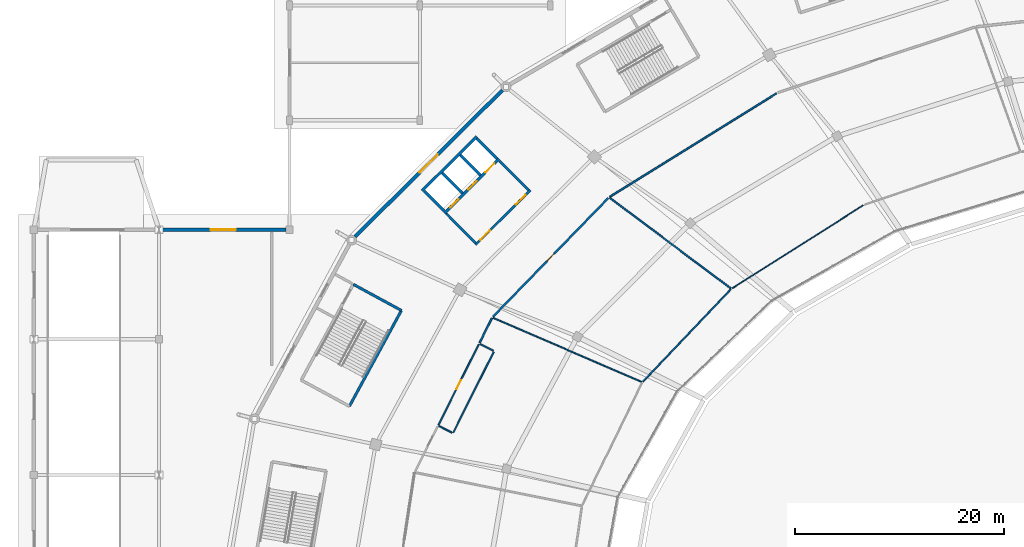
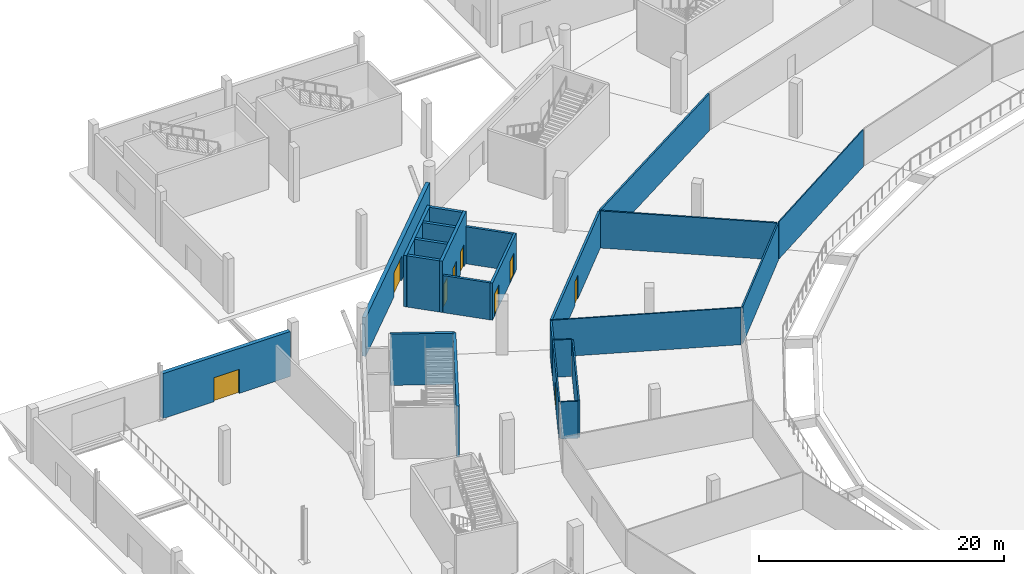
# One storey, part 41 of 82: 24 walls, 9 doors, 9 openings.
"""IFC4 building model written with IfcOpenShell, lengths in metres."""

import ifcopenshell
import ifcopenshell.guid

model = None  # the IFC model being written
_history = None  # IfcOwnerHistory: only IFC2X3 demands one
_inside = {}  # id of a spatial element -> (the spatial element, [elements in it])
_under = {}  # id of a project, library or spatial element -> (it, [spatial elements below it])
_declared = {}  # id of a project -> (the project, [libraries it declares])
_typed = {}  # id of a type object -> (the type object, [elements of that type])
_made_of = {}  # id of a material, layer set ... -> (it, [elements and type objects made of it])


def new_model(schema):
    """Start an empty IFC model of exactly this schema.

    Asked for "IFC4X3", IfcOpenShell would pick the latest addendum, in which some entities
    have other attributes; the version numbers below select the first issue.
    IFC2X3 requires an IfcOwnerHistory on every rooted entity: one is made here for all.
    """
    global model, _history
    if schema == "IFC4X3":
        model = ifcopenshell.file(schema_version=(4, 3, 0, 0))
    else:
        model = ifcopenshell.file(schema=schema)
    _inside.clear()
    _under.clear()
    _declared.clear()
    _typed.clear()
    _made_of.clear()
    _history = None
    if model.schema == "IFC2X3":
        org = make("IfcOrganization", Name="unknown")
        user = make(
            "IfcPersonAndOrganization",
            ThePerson=make("IfcPerson", FamilyName="unknown"),
            TheOrganization=org,
        )
        app = make(
            "IfcApplication",
            ApplicationDeveloper=org,
            Version="unknown",
            ApplicationFullName="unknown",
            ApplicationIdentifier="unknown",
        )
        _history = make(
            "IfcOwnerHistory",
            OwningUser=user,
            OwningApplication=app,
            ChangeAction="ADDED",
            CreationDate=0,
        )
    return model


def make(cls, **values):
    """One entity of the class cls with the attributes given. An attribute that is None is left unset."""
    return model.create_entity(
        cls, **{name: value for name, value in values.items() if value is not None}
    )


def rooted(cls, **values):
    """An entity with a GlobalId (a new one), such as an element, a storey or a relation."""
    return make(cls, GlobalId=ifcopenshell.guid.new(), OwnerHistory=_history, **values)


def si_unit(unit_type, name, prefix=None):
    """IfcSIUnit, for example si_unit("LENGTHUNIT", "METRE", prefix="MILLI")."""
    return make("IfcSIUnit", UnitType=unit_type, Prefix=prefix, Name=name)


def assignment(units):
    """IfcUnitAssignment: the units of a project."""
    return None if units is None else make("IfcUnitAssignment", Units=units)


def point(xyz):
    """IfcCartesianPoint."""
    return None if xyz is None else make("IfcCartesianPoint", Coordinates=xyz)


def direction(xyz):
    """IfcDirection."""
    return None if xyz is None else make("IfcDirection", DirectionRatios=xyz)


def frame(location, z_axis=None, x_axis=None):
    """IfcAxis2Placement3D, a coordinate frame: its origin and axes. An axis left out is left unset."""
    return make(
        "IfcAxis2Placement3D",
        Location=point(location),
        Axis=direction(z_axis),
        RefDirection=direction(x_axis),
    )


def frame_2d(location, x_axis=None):
    """IfcAxis2Placement2D, a coordinate frame in the plane: its origin and x axis."""
    return make(
        "IfcAxis2Placement2D", Location=point(location), RefDirection=direction(x_axis)
    )


def origin():
    """The frame at (0, 0, 0) with its axes left unset."""
    return frame((0.0, 0.0, 0.0))


def place(relative_to, where):
    """IfcLocalPlacement: puts the frame where relative to a parent placement (None: the world)."""
    return make(
        "IfcLocalPlacement", PlacementRelTo=relative_to, RelativePlacement=where
    )


def context(
    kind, dimensions, precision=None, world=None, true_north=None, identifier=None
):
    """IfcGeometricRepresentationContext, for example the 3D "Model" context."""
    return make(
        "IfcGeometricRepresentationContext",
        ContextIdentifier=identifier,
        ContextType=kind,
        CoordinateSpaceDimension=dimensions,
        Precision=precision,
        WorldCoordinateSystem=world,
        TrueNorth=true_north,
    )


def subcontext(parent, identifier, kind, view, scale=None):
    """IfcGeometricRepresentationSubContext, for example "Body" below "Model"."""
    return make(
        "IfcGeometricRepresentationSubContext",
        ContextIdentifier=identifier,
        ContextType=kind,
        ParentContext=parent,
        TargetScale=scale,
        TargetView=view,
    )


def project(units=None, contexts=None):
    """IfcProject with its units and contexts."""
    return rooted(
        "IfcProject",
        Name="project",
        RepresentationContexts=contexts,
        UnitsInContext=assignment(units),
    )


def spatial(cls, under=None, at=None, **own):
    """A site, building, storey or space (cls), placed at a placement, below another one or the project."""
    s = rooted(cls, ObjectPlacement=at, **own)
    if under is not None:
        _under.setdefault(under.id(), (under, []))[1].append(s)
    return s


def profile(cls, at=None, kind="AREA", **sizes):
    """A parametric profile (cls). Its sizes go by their IFC names, for example OverallWidth=200.0."""
    return make(cls, ProfileType=kind, Position=at, **sizes)


def rectangle(**sizes):
    """IfcRectangleProfileDef."""
    return profile("IfcRectangleProfileDef", **sizes)


def extrude(swept, where, along, depth):
    """IfcExtrudedAreaSolid: the profile swept, set in the frame where, extruded along a direction by depth."""
    return make(
        "IfcExtrudedAreaSolid",
        SweptArea=swept,
        Position=where,
        ExtrudedDirection=direction(along),
        Depth=depth,
    )


def shape(context_of_items, identifier, shape_type, items):
    """IfcShapeRepresentation: the items that make up one representation, for example the "Body"."""
    return make(
        "IfcShapeRepresentation",
        ContextOfItems=context_of_items,
        RepresentationIdentifier=identifier,
        RepresentationType=shape_type,
        Items=items,
    )


def material(Name=None, Category=None):
    """IfcMaterial."""
    return make("IfcMaterial", Name=Name, Category=Category)


def layer(
    of_material, thickness, ventilated=None, Name=None, Category=None, Priority=None
):
    """IfcMaterialLayer: one layer of a wall or slab, of a material (None: an air gap)."""
    return make(
        "IfcMaterialLayer",
        Material=of_material,
        LayerThickness=thickness,
        IsVentilated=ventilated,
        Name=Name,
        Category=Category,
        Priority=Priority,
    )


def layer_set(layers, Name=None):
    """IfcMaterialLayerSet."""
    return make("IfcMaterialLayerSet", MaterialLayers=layers, LayerSetName=Name)


def made_of(thing, what):
    """Note that an element or type object is made of a material, layer set ...; save() writes the relation."""
    if what is not None:
        _made_of.setdefault(what.id(), (what, []))[1].append(thing)
    return thing


def type_object(cls, material=None, **own):
    """A type object (cls), such as IfcWallType, which elements share."""
    return made_of(rooted(cls, **own), material)


def element(
    cls,
    number,
    at=None,
    inside=None,
    cuts=None,
    type_object=None,
    material=None,
    context=None,
    identifier="Body",
    shape_type=None,
    held_by="IfcProductDefinitionShape",
    body=None,
    shapes=None,
    **own,
):
    """One element of the class cls, such as IfcWall. Its Tag is "e" and its number.

    at: its placement. inside: the storey or other place that contains it. cuts: it is an
    opening in that element (IfcRelVoidsElement). A single representation is given by context,
    identifier, shape_type and body (its items); several are given by shapes. held_by: the class
    of the entity that holds the representations. save() writes the other relations.
    """
    e = rooted(cls, Tag="e%d" % number, ObjectPlacement=at, **own)
    if body is not None:
        shapes = [shape(context, identifier, shape_type, body)]
    if shapes is not None:
        e.Representation = make(held_by, Representations=shapes)
    if inside is not None:
        _inside.setdefault(inside.id(), (inside, []))[1].append(e)
    if cuts is not None:
        rooted(
            "IfcRelVoidsElement", RelatingBuildingElement=cuts, RelatedOpeningElement=e
        )
    if type_object is not None:
        _typed.setdefault(type_object.id(), (type_object, []))[1].append(e)
    return made_of(e, material)


def fill(opening, filler):
    """IfcRelFillsElement: the door or window that sits in an opening."""
    return rooted(
        "IfcRelFillsElement",
        RelatingOpeningElement=opening,
        RelatedBuildingElement=filler,
    )


def aggregate(whole, parts):
    """IfcRelAggregates: a whole, such as a stair, and the parts it consists of."""
    return rooted("IfcRelAggregates", RelatingObject=whole, RelatedObjects=parts)


def save(model, path):
    """Write the relations noted so far, then the file.

    IfcRelAggregates (storeys below a building ...), IfcRelContainedInSpatialStructure (elements
    in a storey), IfcRelDefinesByType, IfcRelAssociatesMaterial and IfcRelDeclares: one each for
    every whole, place, type object, material and project.
    """
    for whole, parts in _under.values():
        aggregate(whole, parts)
    for where, things in _inside.values():
        rooted(
            "IfcRelContainedInSpatialStructure",
            RelatedElements=things,
            RelatingStructure=where,
        )
    for kind, things in _typed.values():
        rooted("IfcRelDefinesByType", RelatedObjects=things, RelatingType=kind)
    for what, things in _made_of.values():
        rooted("IfcRelAssociatesMaterial", RelatedObjects=things, RelatingMaterial=what)
    for by, libraries in _declared.values():
        rooted("IfcRelDeclares", RelatingContext=by, RelatedDefinitions=libraries)
    model.write(path)


model = new_model("IFC4")

# Units and contexts
model_context = context("Model", 3, precision=1e-05, world=origin(), true_north=direction((0.0, 1.0)))
body_context = subcontext(model_context, "Body", "Model", "MODEL_VIEW")
ifc_project = project(units=[si_unit("LENGTHUNIT", "METRE"), si_unit("AREAUNIT", "SQUARE_METRE"), si_unit("VOLUMEUNIT", "CUBIC_METRE"), si_unit("PLANEANGLEUNIT", "RADIAN"), si_unit("MASSUNIT", "GRAM", prefix="KILO")], contexts=[model_context])

# Site, building, storey
site_placement = place(None, origin())
site = spatial("IfcSite", under=ifc_project, at=site_placement, CompositionType="ELEMENT")
building_placement = place(site_placement, origin())
building = spatial("IfcBuilding", under=site, at=building_placement, Name="Zlatoyarsky Gate Stadium", CompositionType="ELEMENT")
storey_placement = place(building_placement, origin())
storey = spatial("IfcBuildingStorey", under=building, at=storey_placement, Name="L00", CompositionType="ELEMENT", Elevation=0.0)

# Wall
ifc_material_1 = material(Name="Moisture-resistant masonry partition", Category="masonry")
ifc_layer_1 = layer(ifc_material_1, 0.139892578125)
ifc_layer_set_1 = layer_set([ifc_layer_1], Name="Moisture-resistant masonry partition")
wall_type_1 = type_object("IfcWallType", Name="ATHLETE CHANGING BLOCK PARTITION 140", PredefinedType="PARTITIONING", material=ifc_layer_set_1)
wall_1_placement = place(storey_placement, frame((66.811279296875, 110.775146484375, 0.0), z_axis=(0.0, 0.0, 1.0), x_axis=(-0.691101406197, -0.722757806151, 0.0)))
element("IfcWall", 1, at=wall_1_placement, inside=storey, type_object=wall_type_1, Name="L00 interior partition PRT-L00-IRN-09", PredefinedType="PARTITIONING", context=body_context, shape_type="SweptSolid", body=[
    extrude(rectangle(XDim=12.20849609375, YDim=0.139892578125, at=frame_2d((6.104248046875, 0.0))), origin(), (0.0, 0.0, 1.0), 3.68994140625),
])

# Wall, opening, door
ifc_material_2 = material(Name="Gypsum-clad mineral wool fire partition", Category="gypsum")
ifc_layer_2 = layer(ifc_material_2, 0.199951171875)
ifc_layer_set_2 = layer_set([ifc_layer_2], Name="Gypsum-clad mineral wool fire partition")
wall_type_2 = type_object("IfcWallType", Name="COMPARTMENT FIRE PARTITION WALL 200", PredefinedType="PARTITIONING", material=ifc_layer_set_2)
wall_2_placement = place(storey_placement, frame((55.069580078125, 119.546630859375, 0.0), z_axis=(0.0, 0.0, 1.0), x_axis=(-0.696900418689, -0.717167906722, 0.0)))
wall_2 = element("IfcWall", 2, at=wall_2_placement, inside=storey, type_object=wall_type_2, Name="L00 interior partition PRT-L00-ICC-09", PredefinedType="PARTITIONING", context=body_context, shape_type="SweptSolid", body=[
    extrude(rectangle(XDim=15.888671875, YDim=0.199951171875, at=frame_2d((7.9443359375, 0.0))), origin(), (0.0, 0.0, 1.0), 3.68994140625),
])
opening_1_placement = place(wall_2_placement, frame((7.46435546875, 0.0, 0.0)))
opening_1 = element("IfcOpeningElement", 3, at=opening_1_placement, cuts=wall_2, Name="Opening D-L00-134", PredefinedType="OPENING", context=body_context, shape_type="SweptSolid", body=[
    extrude(rectangle(XDim=0.9599609375, YDim=2.3798828125, at=frame_2d((0.47998046875, 1.18994140625))), frame((0.0, 0.10986328125, 0.0), z_axis=(0.0, -1.0, 0.0), x_axis=(1.0, 0.0, 0.0)), (0.0, 0.0, 1.0), 0.219970703125),
])
ifc_material_3 = material(Name="Powder-coated steel fire door", Category="steel")
door_type_1 = type_object("IfcDoorType", Name="ACOUSTIC INTERIOR DOOR 960X2380", OperationType="NOTDEFINED", PredefinedType="DOOR", material=ifc_material_3)
door_1_placement = place(opening_1_placement, origin())
door_1 = element("IfcDoor", 4, at=door_1_placement, inside=storey, type_object=door_type_1, Name="L00 room door D-L00-134", OperationType="SINGLE_SWING_LEFT", OverallHeight=2.3798828125, OverallWidth=0.9599609375, PredefinedType="DOOR", context=body_context, shape_type="SweptSolid", body=[
    extrude(rectangle(XDim=0.9599609375, YDim=2.3798828125, at=frame_2d((0.47998046875, 1.18994140625))), frame((0.0, 0.02490234375, 0.0), z_axis=(0.0, -1.0, 0.0), x_axis=(1.0, 0.0, 0.0)), (0.0, 0.0, 1.0), 0.050048828125),
])
fill(opening_1, door_1)

# Walls
ifc_material_4 = material(Name="Metal-stud gypsum partition", Category="gypsum")
ifc_layer_3 = layer(ifc_material_4, 0.14990234375)
ifc_layer_set_3 = layer_set([ifc_layer_3], Name="Metal-stud gypsum partition")
wall_type_3 = type_object("IfcWallType", Name="CONCOURSE CORRIDOR PARTITION 150", PredefinedType="PARTITIONING", material=ifc_layer_set_3)
wall_3_placement = place(storey_placement, frame((66.8017578125, 110.887451171875, 0.0), z_axis=(0.0, 0.0, 1.0), x_axis=(-0.801129157345, 0.598491498061, 0.0)))
element("IfcWall", 5, at=wall_3_placement, inside=storey, type_object=wall_type_3, Name="L00 interior partition PRT-L00-IRD-09", PredefinedType="PARTITIONING", context=body_context, shape_type="SweptSolid", body=[
    extrude(rectangle(XDim=14.485595703125, YDim=0.14990234375, at=frame_2d((7.24267578125, 0.0))), origin(), (0.0, 0.0, 1.0), 3.68994140625),
])
ifc_material_5 = material(Name="Concrete C40/50", Category="concrete")
ifc_layer_4 = layer(ifc_material_5, 0.27001953125)
ifc_layer_set_4 = layer_set([ifc_layer_4], Name="Concrete C40/50")
wall_type_4 = type_object("IfcWallType", Name="CONCRETE LIFT SHAFT SHEAR WALL 270", PredefinedType="SHEAR", material=ifc_layer_set_4)
wall_4_placement = place(storey_placement, frame((42.452880859375, 125.443603515625, 0.0), z_axis=(0.0, 0.0, 1.0), x_axis=(-0.708902567846, -0.705306422274, 0.0)))
element("IfcWall", 6, at=wall_4_placement, inside=storey, type_object=wall_type_4, Name="C2 L00 lift shaft rear wall", PredefinedType="SHEAR", context=body_context, shape_type="SweptSolid", body=[
    extrude(rectangle(XDim=7.39990234375, YDim=0.27001953125, at=frame_2d((3.699951171875, 0.0))), origin(), (0.0, 0.0, 1.0), 5.10009765625),
])
for number, where, z_axis, x_axis, name in (
    (7, (42.45947265625, 125.24560546875, 0.0), (0.0, 0.0, 1.0), (0.705322518225, -0.708886553183, 0.0), "C2 L00 lift shaft left wall"),
    (8, (37.405029296875, 120.216796875, 0.0), (0.0, 0.0, 1.0), (0.705322518225, -0.708886553183, 0.0), "C2 L00 lift shaft right wall"),
    (9, (40.87158203125, 123.665771484375, 0.0), (0.0, 0.0, 1.0), (0.705322518225, -0.708886553183, 0.0), "C2 L00 lift shaft divider 1"),
    (10, (39.134765625, 121.937744140625, 0.0), (0.0, 0.0, 1.0), (0.705322518225, -0.708886553183, 0.0), "C2 L00 lift shaft divider 2"),
):
    element("IfcWall", number, at=place(storey_placement, frame(where, z_axis=z_axis, x_axis=x_axis)), inside=storey, type_object=wall_type_4, Name=name, PredefinedType="SHEAR", context=body_context, shape_type="SweptSolid", body=[
        extrude(rectangle(XDim=2.739990234375, YDim=0.27001953125, at=frame_2d((1.3701171875, 0.0))), origin(), (0.0, 0.0, 1.0), 5.10009765625),
    ])

# Wall, openings, doors
wall_5_placement = place(storey_placement, frame((44.590087890625, 123.295654296875, 0.0), z_axis=(0.0, 0.0, 1.0), x_axis=(-0.708918979457, -0.705289926602, 0.0)))
wall_5 = element("IfcWall", 11, at=wall_5_placement, inside=storey, type_object=wall_type_4, Name="C2 L00 lift landing front wall", PredefinedType="SHEAR", context=body_context, shape_type="SweptSolid", body=[
    extrude(rectangle(XDim=7.400146484375, YDim=0.27001953125, at=frame_2d((3.7001953125, 0.0))), origin(), (0.0, 0.0, 1.0), 5.10009765625),
])
opening_2_placement = place(wall_5_placement, frame((0.64990234375, 0.0, 0.0)))
opening_2 = element("IfcOpeningElement", 12, at=opening_2_placement, cuts=wall_5, Name="Opening LD-FL-02-L00", PredefinedType="OPENING", context=body_context, shape_type="SweptSolid", body=[
    extrude(rectangle(XDim=1.199951171875, YDim=2.25, at=frame_2d((0.60009765625, 1.125))), frame((0.0, 0.14501953125, 0.0), z_axis=(0.0, -1.0, 0.0), x_axis=(1.0, 0.0, 0.0)), (0.0, 0.0, 1.0), 0.2900390625),
])
opening_3_placement = place(wall_5_placement, frame((3.050048828125, 0.0, 0.0)))
opening_3 = element("IfcOpeningElement", 13, at=opening_3_placement, cuts=wall_5, Name="Opening LD-LF-03-L00", PredefinedType="OPENING", context=body_context, shape_type="SweptSolid", body=[
    extrude(rectangle(XDim=1.10009765625, YDim=2.199951171875, at=frame_2d((0.550048828125, 1.10009765625))), frame((0.0, 0.14501953125, 0.0), z_axis=(0.0, -1.0, 0.0), x_axis=(1.0, 0.0, 0.0)), (0.0, 0.0, 1.0), 0.2900390625),
])
opening_4_placement = place(wall_5_placement, frame((5.5, 0.0, 0.0)))
opening_4 = element("IfcOpeningElement", 14, at=opening_4_placement, cuts=wall_5, Name="Opening LD-LF-04-L00", PredefinedType="OPENING", context=body_context, shape_type="SweptSolid", body=[
    extrude(rectangle(XDim=1.10009765625, YDim=2.199951171875, at=frame_2d((0.550048828125, 1.10009765625))), frame((0.0, 0.14501953125, 0.0), z_axis=(0.0, -1.0, 0.0), x_axis=(1.0, 0.0, 0.0)), (0.0, 0.0, 1.0), 0.2900390625),
])
door_type_2 = type_object("IfcDoorType", Name="STAINLESS LIFT LANDING SLIDING DOOR 1100X2200", OperationType="DOUBLE_DOOR_SLIDING", PredefinedType="DOOR", material=ifc_material_3)
door_2_placement = place(opening_3_placement, origin())
door_2 = element("IfcDoor", 15, at=door_2_placement, inside=storey, type_object=door_type_2, Name="Lift LF-03 L00 sliding landing door", OperationType="DOUBLE_DOOR_SLIDING", OverallHeight=2.199951171875, OverallWidth=1.10009765625, PredefinedType="DOOR", context=body_context, shape_type="SweptSolid", body=[
    extrude(rectangle(XDim=1.10009765625, YDim=2.199951171875, at=frame_2d((0.550048828125, 1.10009765625))), frame((0.0, 0.02490234375, 0.0), z_axis=(0.0, -1.0, 0.0), x_axis=(1.0, 0.0, 0.0)), (0.0, 0.0, 1.0), 0.050048828125),
])
fill(opening_3, door_2)
door_3_placement = place(opening_4_placement, origin())
door_3 = element("IfcDoor", 16, at=door_3_placement, inside=storey, type_object=door_type_2, Name="Lift LF-04 L00 sliding landing door", OperationType="DOUBLE_DOOR_SLIDING", OverallHeight=2.199951171875, OverallWidth=1.10009765625, PredefinedType="DOOR", context=body_context, shape_type="SweptSolid", body=[
    extrude(rectangle(XDim=1.10009765625, YDim=2.199951171875, at=frame_2d((0.550048828125, 1.10009765625))), frame((0.0, 0.02490234375, 0.0), z_axis=(0.0, -1.0, 0.0), x_axis=(1.0, 0.0, 0.0)), (0.0, 0.0, 1.0), 0.050048828125),
])
fill(opening_4, door_3)
door_type_3 = type_object("IfcDoorType", Name="STAINLESS LIFT LANDING SLIDING DOOR 1200X2250", OperationType="DOUBLE_DOOR_SLIDING", PredefinedType="DOOR", material=ifc_material_3)
door_4_placement = place(opening_2_placement, origin())
door_4 = element("IfcDoor", 17, at=door_4_placement, inside=storey, type_object=door_type_3, Name="Lift FL-02 L00 sliding landing door", OperationType="DOUBLE_DOOR_SLIDING", OverallHeight=2.25, OverallWidth=1.199951171875, PredefinedType="DOOR", context=body_context, shape_type="SweptSolid", body=[
    extrude(rectangle(XDim=1.199951171875, YDim=2.25, at=frame_2d((0.60009765625, 1.125))), frame((0.0, 0.02490234375, 0.0), z_axis=(0.0, -1.0, 0.0), x_axis=(1.0, 0.0, 0.0)), (0.0, 0.0, 1.0), 0.050048828125),
])
fill(opening_2, door_4)

# Walls
ifc_layer_5 = layer(ifc_material_5, 0.25)
ifc_layer_set_5 = layer_set([ifc_layer_5], Name="Concrete C40/50")
wall_type_5 = type_object("IfcWallType", Name="CONCRETE STAIR CORE SHEAR WALL 250", PredefinedType="SHEAR", material=ifc_layer_set_5)
wall_6_placement = place(storey_placement, frame((35.229736328125, 108.764892578125, 0.0), z_axis=(0.0, 0.0, 1.0), x_axis=(-0.878941993928, 0.476928685769, 0.0)))
element("IfcWall", 18, at=wall_6_placement, inside=storey, type_object=wall_type_5, Name="ST-06 L00 stair core entrance shear wall", PredefinedType="SHEAR", context=body_context, shape_type="SweptSolid", body=[
    extrude(rectangle(XDim=5.25, YDim=0.25, at=frame_2d((2.625, 0.0))), origin(), (0.0, 0.0, 1.0), 5.10009765625),
])
wall_7_placement = place(storey_placement, frame((30.246337890625, 99.579833984375, 0.0), z_axis=(0.0, 0.0, 1.0), x_axis=(0.476886649814, 0.878964802042, 0.0)))
element("IfcWall", 19, at=wall_7_placement, inside=storey, type_object=wall_type_5, Name="ST-06 L00 stair core right shear wall", PredefinedType="SHEAR", context=body_context, shape_type="SweptSolid", body=[
    extrude(rectangle(XDim=10.449951171875, YDim=0.25, at=frame_2d((5.22509765625, 0.0))), origin(), (0.0, 0.0, 1.0), 5.10009765625),
])
ifc_material_6 = material(Name="Autoclaved aerated concrete masonry EI 120", Category="masonry")
ifc_layer_6 = layer(ifc_material_6, 0.219970703125)
ifc_layer_set_6 = layer_set([ifc_layer_6], Name="Autoclaved aerated concrete masonry EI 120")
wall_type_6 = type_object("IfcWallType", Name="FIREFIGHTING LOBBY RATED WALL 220", PredefinedType="PARTITIONING", material=ifc_layer_set_6)
for number, where, z_axis, x_axis, name in (
    (20, (44.621337890625, 123.1083984375, 0.0), (0.0, 0.0, 1.0), (0.705294916294, -0.708914015273, 0.0), "C2 L00 firefighting lobby left wall"),
    (21, (39.531494140625, 118.044189453125, 0.0), (0.0, 0.0, 1.0), (0.705294916294, -0.708914015273, 0.0), "C2 L00 firefighting lobby right wall"),
):
    element("IfcWall", number, at=place(storey_placement, frame(where, z_axis=z_axis, x_axis=x_axis)), inside=storey, type_object=wall_type_6, Name=name, PredefinedType="PARTITIONING", context=body_context, shape_type="SweptSolid", body=[
        extrude(rectangle(XDim=3.97998046875, YDim=0.219970703125, at=frame_2d((1.989990234375, 0.0))), origin(), (0.0, 0.0, 1.0), 3.68994140625),
    ])

# Wall, openings, doors
wall_8_placement = place(storey_placement, frame((47.583984375, 120.286376953125, 0.0), z_axis=(0.0, 0.0, 1.0), x_axis=(-0.708902567846, -0.705306422274, 0.0)))
wall_8 = element("IfcWall", 22, at=wall_8_placement, inside=storey, type_object=wall_type_6, Name="C2 L00 firefighting lobby front wall", PredefinedType="PARTITIONING", context=body_context, shape_type="SweptSolid", body=[
    extrude(rectangle(XDim=7.39990234375, YDim=0.219970703125, at=frame_2d((3.699951171875, 0.0))), origin(), (0.0, 0.0, 1.0), 3.68994140625),
])
opening_5_placement = place(wall_8_placement, frame((0.64990234375, 0.0, 0.0)))
opening_5 = element("IfcOpeningElement", 23, at=opening_5_placement, cuts=wall_8, Name="Opening FD-C2-L00-A", PredefinedType="OPENING", context=body_context, shape_type="SweptSolid", body=[
    extrude(rectangle(XDim=1.300048828125, YDim=2.199951171875, at=frame_2d((0.64990234375, 1.10009765625))), frame((0.0, 0.119873046875, 0.0), z_axis=(0.0, -1.0, 0.0), x_axis=(1.0, 0.0, 0.0)), (0.0, 0.0, 1.0), 0.239990234375),
])
opening_6_placement = place(wall_8_placement, frame((5.449951171875, 0.0, 0.0)))
opening_6 = element("IfcOpeningElement", 24, at=opening_6_placement, cuts=wall_8, Name="Opening FD-C2-L00-B", PredefinedType="OPENING", context=body_context, shape_type="SweptSolid", body=[
    extrude(rectangle(XDim=1.300048828125, YDim=2.199951171875, at=frame_2d((0.64990234375, 1.10009765625))), frame((0.0, 0.119873046875, 0.0), z_axis=(0.0, -1.0, 0.0), x_axis=(1.0, 0.0, 0.0)), (0.0, 0.0, 1.0), 0.239990234375),
])
door_type_4 = type_object("IfcDoorType", Name="FIREFIGHTING LOBBY FIRE DOOR 1300X2200", OperationType="NOTDEFINED", PredefinedType="DOOR", material=ifc_material_3)
door_5_placement = place(opening_5_placement, origin())
door_5 = element("IfcDoor", 25, at=door_5_placement, inside=storey, type_object=door_type_4, Name="C2 L00 firefighting lobby fire door FD-C2-L00-A", OperationType="SINGLE_SWING_LEFT", OverallHeight=2.199951171875, OverallWidth=1.300048828125, PredefinedType="DOOR", context=body_context, shape_type="SweptSolid", body=[
    extrude(rectangle(XDim=1.300048828125, YDim=2.199951171875, at=frame_2d((0.64990234375, 1.10009765625))), frame((0.0, 0.02490234375, 0.0), z_axis=(0.0, -1.0, 0.0), x_axis=(1.0, 0.0, 0.0)), (0.0, 0.0, 1.0), 0.050048828125),
])
fill(opening_5, door_5)
door_6_placement = place(opening_6_placement, origin())
door_6 = element("IfcDoor", 26, at=door_6_placement, inside=storey, type_object=door_type_4, Name="C2 L00 firefighting lobby fire door FD-C2-L00-B", OperationType="SINGLE_SWING_RIGHT", OverallHeight=2.199951171875, OverallWidth=1.300048828125, PredefinedType="DOOR", context=body_context, shape_type="SweptSolid", body=[
    extrude(rectangle(XDim=1.300048828125, YDim=2.199951171875, at=frame_2d((0.64990234375, 1.10009765625))), frame((0.0, 0.02490234375, 0.0), z_axis=(0.0, -1.0, 0.0), x_axis=(1.0, 0.0, 0.0)), (0.0, 0.0, 1.0), 0.050048828125),
])
fill(opening_6, door_6)

# Walls
ifc_material_7 = material(Name="Timber-veneered acoustic operable partition", Category="wood")
ifc_layer_7 = layer(ifc_material_7, 0.094970703125)
ifc_layer_set_7 = layer_set([ifc_layer_7], Name="Timber-veneered acoustic operable partition")
wall_type_7 = type_object("IfcWallType", Name="FOLDING BANQUET SALON WALL 95", PredefinedType="MOVABLE", material=ifc_layer_set_7)
wall_9_placement = place(storey_placement, frame((79.489501953125, 118.837158203125, 0.0), z_axis=(0.0, 0.0, 1.0), x_axis=(-0.844572378818, -0.535441403833, 0.0)))
element("IfcWall", 27, at=wall_9_placement, inside=storey, type_object=wall_type_7, Name="L00 interior partition PRT-L00-IRN-08", PredefinedType="MOVABLE", context=body_context, shape_type="SweptSolid", body=[
    extrude(rectangle(XDim=14.85693359375, YDim=0.094970703125, at=frame_2d((7.428466796875, 0.0))), origin(), (0.0, 0.0, 1.0), 3.68994140625),
])
ifc_material_8 = material(Name="Acoustic metal-stud gypsum partition", Category="gypsum")
ifc_layer_8 = layer(ifc_material_8, 0.159912109375)
ifc_layer_set_8 = layer_set([ifc_layer_8], Name="Acoustic metal-stud gypsum partition")
wall_type_8 = type_object("IfcWallType", Name="HOSPITALITY SUITE PARTITION 160", PredefinedType="PARTITIONING", material=ifc_layer_set_8)
wall_10_placement = place(storey_placement, frame((71.18798828125, 129.57861328125, 0.0), z_axis=(0.0, 0.0, 1.0), x_axis=(-0.849564585217, -0.527484611667, 0.0)))
element("IfcWall", 28, at=wall_10_placement, inside=storey, type_object=wall_type_8, Name="L00 interior partition PRT-L00-ICC-08M", PredefinedType="PARTITIONING", context=body_context, shape_type="SweptSolid", body=[
    extrude(rectangle(XDim=18.817626953125, YDim=0.159912109375, at=frame_2d((9.40869140625, 0.0))), origin(), (0.0, 0.0, 1.0), 3.68994140625),
])
wall_11_placement = place(storey_placement, frame((43.8994140625, 108.014892578125, 0.0), z_axis=(0.0, 0.0, 1.0), x_axis=(-0.447733384558, -0.894167107622, 0.0)))
element("IfcWall", 29, at=wall_11_placement, inside=storey, type_object=wall_type_8, Name="L00 interior partition PRT-L00-WCL-10", PredefinedType="PARTITIONING", context=body_context, shape_type="SweptSolid", body=[
    extrude(rectangle(XDim=2.6298828125, YDim=0.159912109375, at=frame_2d((1.31494140625, 0.0))), origin(), (0.0, 0.0, 1.0), 3.68994140625),
])

# Wall, opening, door
ifc_material_9 = material(Name="Limestone-faced insulated masonry wall", Category="masonry")
ifc_layer_9 = layer(ifc_material_9, 0.360107421875)
ifc_layer_set_9 = layer_set([ifc_layer_9], Name="Limestone-faced insulated masonry wall")
wall_type_9 = type_object("IfcWallType", Name="LIMESTONE CLAD CAVITY WALL 360", PredefinedType="STANDARD", material=ifc_layer_set_9)
wall_12_placement = place(storey_placement, frame((12.14697265625, 116.5, 0.0), z_axis=(0.0, 0.0, 1.0), x_axis=(1.0, 0.0, 0.0)))
wall_12 = element("IfcWall", 30, at=wall_12_placement, inside=storey, type_object=wall_type_9, Name="V4_WEST L00 N exterior wall", PredefinedType="STANDARD", context=body_context, shape_type="SweptSolid", body=[
    extrude(rectangle(XDim=12.006103515625, YDim=0.360107421875, at=frame_2d((6.0029296875, 0.0))), origin(), (0.0, 0.0, 1.0), 4.47998046875),
])
opening_7_placement = place(wall_12_placement, frame((4.802978515625, 0.0, 0.0)))
opening_7 = element("IfcOpeningElement", 31, at=opening_7_placement, cuts=wall_12, Name="Opening G28", PredefinedType="OPENING", context=body_context, shape_type="SweptSolid", body=[
    extrude(rectangle(XDim=2.39990234375, YDim=2.39990234375, at=frame_2d((1.199951171875, 1.199951171875))), frame((0.0, 0.18994140625, 0.0), z_axis=(0.0, -1.0, 0.0), x_axis=(1.0, 0.0, 0.0)), (0.0, 0.0, 1.0), 0.380126953125),
])
ifc_material_10 = material(Name="Thermally broken powder-coated steel and laminated safety glass", Category="steel")
door_type_5 = type_object("IfcDoorType", Name="PEDESTRIAN FINAL EXIT DOUBLE DOOR 2400X2400", OperationType="DOUBLE_DOOR_SINGLE_SWING", PredefinedType="DOOR", material=ifc_material_10)
door_7_placement = place(opening_7_placement, origin())
door_7 = element("IfcDoor", 32, at=door_7_placement, inside=storey, type_object=door_type_5, Name="Exterior door G28", OperationType="DOUBLE_DOOR_SINGLE_SWING", OverallHeight=2.39990234375, OverallWidth=2.39990234375, PredefinedType="DOOR", context=body_context, shape_type="SweptSolid", body=[
    extrude(rectangle(XDim=2.39990234375, YDim=2.39990234375, at=frame_2d((1.199951171875, 1.199951171875))), frame((0.0, 0.02490234375, 0.0), z_axis=(0.0, -1.0, 0.0), x_axis=(1.0, 0.0, 0.0)), (0.0, 0.0, 1.0), 0.050048828125),
])
fill(opening_7, door_7)

ifc_layer_10 = layer(ifc_material_9, 0.340087890625)
ifc_layer_set_10 = layer_set([ifc_layer_10], Name="Limestone-faced insulated masonry wall")
wall_type_10 = type_object("IfcWallType", Name="LIMESTONE GATE PLINTH WALL 340", PredefinedType="STANDARD", material=ifc_layer_set_10)
wall_13_placement = place(storey_placement, frame((44.9130859375, 129.880126953125, 0.0), z_axis=(0.0, 0.0, 1.0), x_axis=(-0.708905356977, -0.705303618911, 0.0)))
wall_13 = element("IfcWall", 33, at=wall_13_placement, inside=storey, type_object=wall_type_10, Name="L00 bowl exterior plinth wall sector 09", PredefinedType="STANDARD", context=body_context, shape_type="SweptSolid", body=[
    extrude(rectangle(XDim=19.928466796875, YDim=0.340087890625, at=frame_2d((9.96435546875, 0.0))), origin(), (0.0, 0.0, 1.0), 3.85009765625),
])
opening_8_placement = place(wall_13_placement, frame((8.7392578125, 0.0, 0.0)))
opening_8 = element("IfcOpeningElement", 34, at=opening_8_placement, cuts=wall_13, Name="Opening G05", PredefinedType="OPENING", context=body_context, shape_type="SweptSolid", body=[
    extrude(rectangle(XDim=2.449951171875, YDim=2.39990234375, at=frame_2d((1.22509765625, 1.199951171875))), frame((0.0, 0.179931640625, 0.0), z_axis=(0.0, -1.0, 0.0), x_axis=(1.0, 0.0, 0.0)), (0.0, 0.0, 1.0), 0.360107421875),
])
door_type_6 = type_object("IfcDoorType", Name="PEDESTRIAN FINAL EXIT DOUBLE DOOR 2450X2400", OperationType="DOUBLE_DOOR_SINGLE_SWING", PredefinedType="DOOR", material=ifc_material_10)
door_8_placement = place(opening_8_placement, frame((2.449951171875, 0.0, 0.0), z_axis=(0.0, 0.0, 1.0), x_axis=(-1.0, 0.0, 0.0)))
door_8 = element("IfcDoor", 35, at=door_8_placement, inside=storey, type_object=door_type_6, Name="Pedestrian exit gate G05", OperationType="DOUBLE_DOOR_SINGLE_SWING", OverallHeight=2.39990234375, OverallWidth=2.449951171875, PredefinedType="DOOR", context=body_context, shape_type="SweptSolid", body=[
    extrude(rectangle(XDim=2.449951171875, YDim=2.39990234375, at=frame_2d((1.22509765625, 1.199951171875))), frame((0.0, 0.02490234375, 0.0), z_axis=(0.0, -1.0, 0.0), x_axis=(1.0, 0.0, 0.0)), (0.0, 0.0, 1.0), 0.050048828125),
])
fill(opening_8, door_8)

# Wall
ifc_layer_11 = layer(ifc_material_4, 0.1201171875)
ifc_layer_set_11 = layer_set([ifc_layer_11], Name="Metal-stud gypsum partition")
wall_type_11 = type_object("IfcWallType", Name="OFFICE AND PRESS PARTITION 120", PredefinedType="PARTITIONING", material=ifc_layer_set_11)
wall_14_placement = place(storey_placement, frame((58.2373046875, 101.923583984375, 0.0), z_axis=(0.0, 0.0, 1.0), x_axis=(-0.918241673877, 0.396020489817, 0.0)))
element("IfcWall", 36, at=wall_14_placement, inside=storey, type_object=wall_type_11, Name="L00 interior partition PRT-L00-IRD-10", PredefinedType="PARTITIONING", context=body_context, shape_type="SweptSolid", body=[
    extrude(rectangle(XDim=15.488037109375, YDim=0.1201171875, at=frame_2d((7.744140625, 0.0))), origin(), (0.0, 0.0, 1.0), 3.68994140625),
])

# Wall, opening, door
ifc_material_11 = material(Name="Moisture-resistant tile-backed partition", Category="gypsum")
ifc_layer_12 = layer(ifc_material_11, 0.1298828125)
ifc_layer_set_12 = layer_set([ifc_layer_12], Name="Moisture-resistant tile-backed partition")
wall_type_12 = type_object("IfcWallType", Name="SANITARY WET ROOM PARTITION 130", PredefinedType="PARTITIONING", material=ifc_layer_set_12)
wall_15_placement = place(storey_placement, frame((42.645751953125, 105.51123046875, 0.0), z_axis=(0.0, 0.0, 1.0), x_axis=(-0.447801930089, -0.894132781755, 0.0)))
wall_15 = element("IfcWall", 37, at=wall_15_placement, inside=storey, type_object=wall_type_12, Name="L00 interior partition PRT-L00-WC10-F", PredefinedType="PARTITIONING", context=body_context, shape_type="SweptSolid", body=[
    extrude(rectangle(XDim=8.6298828125, YDim=0.1298828125, at=frame_2d((4.31494140625, 0.0))), origin(), (0.0, 0.0, 1.0), 3.68994140625),
])
opening_9_placement = place(wall_15_placement, frame((3.8349609375, 0.0, 0.0)))
opening_9 = element("IfcOpeningElement", 38, at=opening_9_placement, cuts=wall_15, Name="Opening D-L00-137", PredefinedType="OPENING", context=body_context, shape_type="SweptSolid", body=[
    extrude(rectangle(XDim=0.9599609375, YDim=2.239990234375, at=frame_2d((0.47998046875, 1.1201171875))), frame((0.0, 0.074951171875, 0.0), z_axis=(0.0, -1.0, 0.0), x_axis=(1.0, 0.0, 0.0)), (0.0, 0.0, 1.0), 0.14990234375),
])
ifc_material_12 = material(Name="Solid-core oak veneer acoustic door", Category="wood")
door_type_7 = type_object("IfcDoorType", Name="ACOUSTIC INTERIOR DOOR 960X2240", OperationType="NOTDEFINED", PredefinedType="DOOR", material=ifc_material_12)
door_9_placement = place(opening_9_placement, origin())
door_9 = element("IfcDoor", 39, at=door_9_placement, inside=storey, type_object=door_type_7, Name="L00 room door D-L00-137", OperationType="SINGLE_SWING_RIGHT", OverallHeight=2.239990234375, OverallWidth=0.9599609375, PredefinedType="DOOR", context=body_context, shape_type="SweptSolid", body=[
    extrude(rectangle(XDim=0.9599609375, YDim=2.239990234375, at=frame_2d((0.47998046875, 1.1201171875))), frame((0.0, 0.02490234375, 0.0), z_axis=(0.0, -1.0, 0.0), x_axis=(1.0, 0.0, 0.0)), (0.0, 0.0, 1.0), 0.050048828125),
])
fill(opening_9, door_9)

# Walls
wall_16_placement = place(storey_placement, frame((44.076416015625, 104.794921875, 0.0), z_axis=(0.0, 0.0, 1.0), x_axis=(-0.447801930089, -0.894132781755, 0.0)))
element("IfcWall", 40, at=wall_16_placement, inside=storey, type_object=wall_type_12, Name="L00 interior partition PRT-L00-WC10-B", PredefinedType="PARTITIONING", context=body_context, shape_type="SweptSolid", body=[
    extrude(rectangle(XDim=8.6298828125, YDim=0.1298828125, at=frame_2d((4.31494140625, 0.0))), origin(), (0.0, 0.0, 1.0), 3.68994140625),
])
for number, where, z_axis, x_axis, name in (
    (41, (42.759765625, 105.54931640625, 0.0), (0.0, 0.0, 1.0), (0.894119663531, -0.447828122483, 0.0), "L00 interior partition PRT-L00-WC10-L"),
    (42, (38.819091796875, 97.680908203125, 0.0), (0.0, 0.0, 1.0), (0.894119663531, -0.447828122483, 0.0), "L00 interior partition PRT-L00-WC10-R"),
):
    element("IfcWall", number, at=place(storey_placement, frame(where, z_axis=z_axis, x_axis=x_axis)), inside=storey, type_object=wall_type_12, Name=name, PredefinedType="PARTITIONING", context=body_context, shape_type="SweptSolid", body=[
        extrude(rectangle(XDim=1.429931640625, YDim=0.1298828125, at=frame_2d((0.71484375, 0.0))), origin(), (0.0, 0.0, 1.0), 3.68994140625),
    ])

save(model, "model.ifc")
